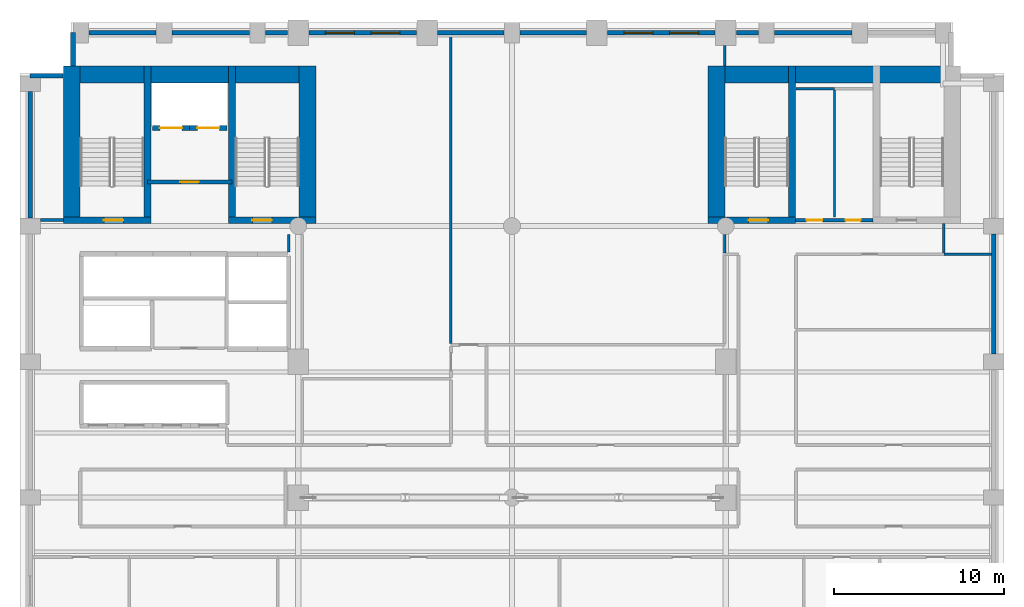
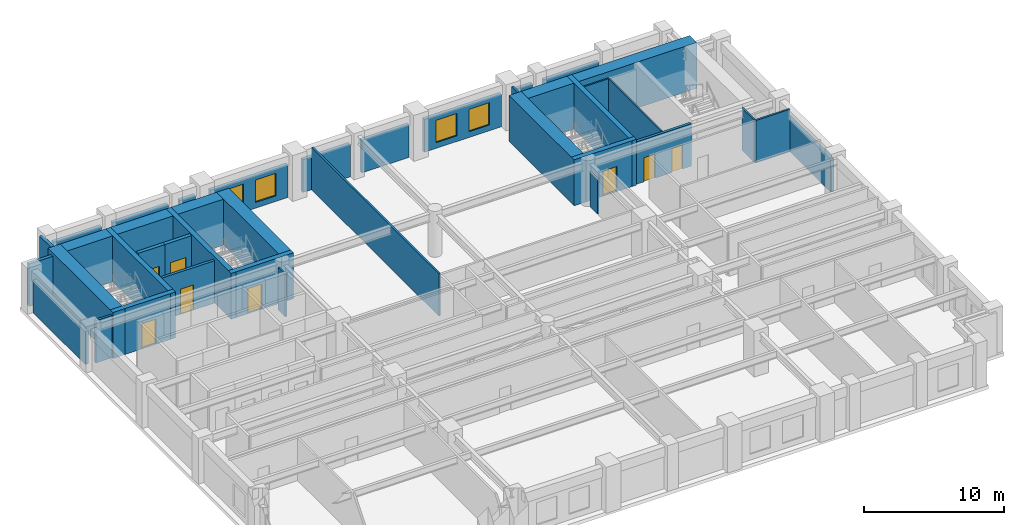
# One storey, part 7 of 10: 37 walls, 8 doors, 4 windows, 12 openings.
"""IFC4 building model written with IfcOpenShell, lengths in metres."""

from ifc_helpers import new_model, si_unit, direction, frame, frame_2d, origin, place, context, subcontext, project, spatial, rectangle, extrude, material, layer, layer_set, type_object, element, fill, save


model = new_model("IFC4")

# Units and contexts
model_context = context("Model", 3, precision=1e-05, world=origin(), true_north=direction((0.0, 1.0)))
body_context = subcontext(model_context, "Body", "Model", "MODEL_VIEW")
ifc_project = project(units=[si_unit("LENGTHUNIT", "METRE"), si_unit("AREAUNIT", "SQUARE_METRE"), si_unit("VOLUMEUNIT", "CUBIC_METRE"), si_unit("PLANEANGLEUNIT", "RADIAN"), si_unit("MASSUNIT", "GRAM", prefix="KILO")], contexts=[model_context])

# Site, building, storey
site_placement = place(None, origin())
site = spatial("IfcSite", under=ifc_project, at=site_placement, CompositionType="ELEMENT")
building_placement = place(site_placement, origin())
building = spatial("IfcBuilding", under=site, at=building_placement, Name="Sulina Concourse Tower", CompositionType="ELEMENT")
storey_placement = place(building_placement, frame((0.0, 0.0, 62.60009765625)))
storey = spatial("IfcBuildingStorey", under=building, at=storey_placement, Name="L15", CompositionType="ELEMENT", Elevation=62.60009765625)

# Wall, opening, door
ifc_material_1 = material(Name="Concrete C50/60", Category="concrete")
ifc_layer_1 = layer(ifc_material_1, 0.300048828125)
ifc_layer_set_1 = layer_set([ifc_layer_1], Name="Concrete C50/60")
wall_type_1 = type_object("IfcWallType", Name="Core Lift Hoistway Wall 300mm", PredefinedType="SOLIDWALL", material=ifc_layer_set_1)
wall_1_placement = place(storey_placement, frame((10.0, 39.780029296875, 0.0), z_axis=(0.0, 0.0, 1.0), x_axis=(-1.0, 0.0, 0.0)))
wall_1 = element("IfcWall", 1, at=wall_1_placement, inside=storey, type_object=wall_type_1, Name="L15 hoistway enclosure wall FFL-1", PredefinedType="SOLIDWALL", context=body_context, shape_type="SweptSolid", body=[
    extrude(rectangle(XDim=2.199951171875, YDim=0.300048828125, at=frame_2d((1.10009765625, 0.0))), origin(), (0.0, 0.0, 1.0), 4.0),
])
opening_1_placement = place(wall_1_placement, frame((0.449951171875, 0.0, 0.0)))
opening_1 = element("IfcOpeningElement", 2, at=opening_1_placement, cuts=wall_1, Name="Opening LD-02", PredefinedType="OPENING", context=body_context, shape_type="SweptSolid", body=[
    extrude(rectangle(XDim=1.300048828125, YDim=2.25, at=frame_2d((0.64990234375, 1.125))), frame((0.0, 0.159912109375, 0.0), z_axis=(0.0, -1.0, 0.0), x_axis=(1.0, 0.0, 0.0)), (0.0, 0.0, 1.0), 0.320068359375),
])
ifc_material_2 = material(Name="Stainless steel lift landing door", Category="steel")
ifc_layer_2 = layer(ifc_material_2, 0.050048828125)
ifc_layer_set_2 = layer_set([ifc_layer_2], Name="Stainless steel lift landing door")
door_type_1 = type_object("IfcDoorType", Name="Firefighting Lift Sliding Landing Door 1300x2250", OperationType="SLIDING_TO_RIGHT", PredefinedType="DOOR", material=ifc_layer_set_2)
door_1_placement = place(opening_1_placement, origin())
door_1 = element("IfcDoor", 3, at=door_1_placement, inside=storey, type_object=door_type_1, Name="L15 lift landing sliding door FFL-1", OperationType="SLIDING_TO_LEFT", OverallHeight=2.25, OverallWidth=1.300048828125, PredefinedType="DOOR", context=body_context, shape_type="SweptSolid", body=[
    extrude(rectangle(XDim=1.300048828125, YDim=2.25, at=frame_2d((0.64990234375, 1.125))), frame((0.0, 0.02490234375, 0.0), z_axis=(0.0, -1.0, 0.0), x_axis=(1.0, 0.0, 0.0)), (0.0, 0.0, 1.0), 0.050048828125),
])
fill(opening_1, door_1)

wall_2_placement = place(storey_placement, frame((12.199951171875, 39.780029296875, 0.0), z_axis=(0.0, 0.0, 1.0), x_axis=(-1.0, 0.0, 0.0)))
wall_2 = element("IfcWall", 4, at=wall_2_placement, inside=storey, type_object=wall_type_1, Name="L15 hoistway enclosure wall FFL-2", PredefinedType="SOLIDWALL", context=body_context, shape_type="SweptSolid", body=[
    extrude(rectangle(XDim=2.199951171875, YDim=0.300048828125, at=frame_2d((1.10009765625, 0.0))), origin(), (0.0, 0.0, 1.0), 4.0),
])
opening_2_placement = place(wall_2_placement, frame((0.449951171875, 0.0, 0.0)))
opening_2 = element("IfcOpeningElement", 5, at=opening_2_placement, cuts=wall_2, Name="Opening LD-02", PredefinedType="OPENING", context=body_context, shape_type="SweptSolid", body=[
    extrude(rectangle(XDim=1.300048828125, YDim=2.25, at=frame_2d((0.64990234375, 1.125))), frame((0.0, 0.159912109375, 0.0), z_axis=(0.0, -1.0, 0.0), x_axis=(1.0, 0.0, 0.0)), (0.0, 0.0, 1.0), 0.320068359375),
])
door_2_placement = place(opening_2_placement, origin())
door_2 = element("IfcDoor", 6, at=door_2_placement, inside=storey, type_object=door_type_1, Name="L15 lift landing sliding door FFL-2", OperationType="SLIDING_TO_RIGHT", OverallHeight=2.25, OverallWidth=1.300048828125, PredefinedType="DOOR", context=body_context, shape_type="SweptSolid", body=[
    extrude(rectangle(XDim=1.300048828125, YDim=2.25, at=frame_2d((0.64990234375, 1.125))), frame((0.0, 0.02490234375, 0.0), z_axis=(0.0, -1.0, 0.0), x_axis=(1.0, 0.0, 0.0)), (0.0, 0.0, 1.0), 0.050048828125),
])
fill(opening_2, door_2)

ifc_material_3 = material(Name="Gypsum board on steel stud", Category="steel")
ifc_layer_3 = layer(ifc_material_3, 0.219970703125)
ifc_layer_set_3 = layer_set([ifc_layer_3], Name="Gypsum board on steel stud")
wall_type_2 = type_object("IfcWallType", Name="Fire-Rated Lobby & Compartment Wall 220mm", PredefinedType="PARTITIONING", material=ifc_layer_set_3)
wall_3_placement = place(storey_placement, frame((7.510009765625, 36.60009765625, 0.0), z_axis=(0.0, 0.0, 1.0), x_axis=(1.0, 0.0, 0.0)))
wall_3 = element("IfcWall", 7, at=wall_3_placement, inside=storey, type_object=wall_type_2, Name="L15 firefighting lobby south fire wall", PredefinedType="PARTITIONING", context=body_context, shape_type="SweptSolid", body=[
    extrude(rectangle(XDim=4.97998046875, YDim=0.219970703125, at=frame_2d((2.489990234375, 0.0))), origin(), (0.0, 0.0, 1.0), 3.699951171875),
])
opening_3_placement = place(wall_3_placement, frame((1.93994140625, 0.0, 0.0)))
opening_3 = element("IfcOpeningElement", 8, at=opening_3_placement, cuts=wall_3, Name="Opening DR-47", PredefinedType="OPENING", context=body_context, shape_type="SweptSolid", body=[
    extrude(rectangle(XDim=1.10009765625, YDim=2.199951171875, at=frame_2d((0.550048828125, 1.10009765625))), frame((0.0, 0.119873046875, 0.0), z_axis=(0.0, -1.0, 0.0), x_axis=(1.0, 0.0, 0.0)), (0.0, 0.0, 1.0), 0.239990234375),
])
ifc_material_4 = material(Name="Galvanised steel acoustic fire leaf", Category="steel")
ifc_layer_4 = layer(ifc_material_4, 0.054931640625)
ifc_layer_set_4 = layer_set([ifc_layer_4], Name="Galvanised steel acoustic fire leaf")
door_type_2 = type_object("IfcDoorType", Name="Firefighting Lobby Fire Door 1100x2200", OperationType="NOTDEFINED", PredefinedType="DOOR", material=ifc_layer_set_4)
door_3_placement = place(opening_3_placement, origin())
door_3 = element("IfcDoor", 9, at=door_3_placement, inside=storey, type_object=door_type_2, Name="L15 firefighting lobby fire door", OperationType="SINGLE_SWING_RIGHT", OverallHeight=2.199951171875, OverallWidth=1.10009765625, PredefinedType="DOOR", context=body_context, shape_type="SweptSolid", body=[
    extrude(rectangle(XDim=1.10009765625, YDim=2.199951171875, at=frame_2d((0.550048828125, 1.10009765625))), frame((0.0, 0.02490234375, 0.0), z_axis=(0.0, -1.0, 0.0), x_axis=(1.0, 0.0, 0.0)), (0.0, 0.0, 1.0), 0.050048828125),
])
fill(opening_3, door_3)

# Wall, openings, doors
wall_4_placement = place(storey_placement, frame((45.719970703125, 34.35009765625, 0.0), z_axis=(0.0, 0.0, 1.0), x_axis=(1.0, 0.0, 0.0)))
wall_4 = element("IfcWall", 10, at=wall_4_placement, inside=storey, type_object=wall_type_2, Name="L15 east core south lobby wall", PredefinedType="PARTITIONING", context=body_context, shape_type="SweptSolid", body=[
    extrude(rectangle(XDim=4.56005859375, YDim=0.219970703125, at=frame_2d((2.280029296875, 0.0))), origin(), (0.0, 0.0, 1.0), 3.699951171875),
])
opening_4_placement = place(wall_4_placement, frame((0.64990234375, 0.0, 0.0)))
opening_4 = element("IfcOpeningElement", 11, at=opening_4_placement, cuts=wall_4, Name="Opening DR-61", PredefinedType="OPENING", context=body_context, shape_type="SweptSolid", body=[
    extrude(rectangle(XDim=0.919921875, YDim=2.10009765625, at=frame_2d((0.4599609375, 1.050048828125))), frame((0.0, 0.119873046875, 0.0), z_axis=(0.0, -1.0, 0.0), x_axis=(1.0, 0.0, 0.0)), (0.0, 0.0, 1.0), 0.239990234375),
])
opening_5_placement = place(wall_4_placement, frame((2.949951171875, 0.0, 0.0)))
opening_5 = element("IfcOpeningElement", 12, at=opening_5_placement, cuts=wall_4, Name="Opening DR-38", PredefinedType="OPENING", context=body_context, shape_type="SweptSolid", body=[
    extrude(rectangle(XDim=0.8798828125, YDim=2.10009765625, at=frame_2d((0.43994140625, 1.050048828125))), frame((0.0, 0.119873046875, 0.0), z_axis=(0.0, -1.0, 0.0), x_axis=(1.0, 0.0, 0.0)), (0.0, 0.0, 1.0), 0.239990234375),
])
ifc_material_5 = material(Name="Oak-veneered fire door leaf")
ifc_layer_5 = layer(ifc_material_5, 0.050048828125)
ifc_layer_set_5 = layer_set([ifc_layer_5], Name="Oak-veneered fire door leaf")
door_type_3 = type_object("IfcDoorType", Name="Accessible WC Door 920x2100", OperationType="NOTDEFINED", PredefinedType="DOOR", material=ifc_layer_set_5)
door_4_placement = place(opening_4_placement, origin())
door_4 = element("IfcDoor", 13, at=door_4_placement, inside=storey, type_object=door_type_3, Name="L15 east core accessible wc door", OperationType="SINGLE_SWING_RIGHT", OverallHeight=2.10009765625, OverallWidth=0.919921875, PredefinedType="DOOR", context=body_context, shape_type="SweptSolid", body=[
    extrude(rectangle(XDim=0.919921875, YDim=2.10009765625, at=frame_2d((0.4599609375, 1.050048828125))), frame((0.0, 0.02490234375, 0.0), z_axis=(0.0, -1.0, 0.0), x_axis=(1.0, 0.0, 0.0)), (0.0, 0.0, 1.0), 0.050048828125),
])
fill(opening_4, door_4)
ifc_material_6 = material(Name="Galvanised steel acoustic fire leaf", Category="steel")
ifc_layer_6 = layer(ifc_material_6, 0.050048828125)
ifc_layer_set_6 = layer_set([ifc_layer_6], Name="Galvanised steel acoustic fire leaf")
door_type_4 = type_object("IfcDoorType", Name="Service Riser Fire Door 880x2100", OperationType="NOTDEFINED", PredefinedType="DOOR", material=ifc_layer_set_6)
door_5_placement = place(opening_5_placement, origin())
door_5 = element("IfcDoor", 14, at=door_5_placement, inside=storey, type_object=door_type_4, Name="L15 east core store door", OperationType="SINGLE_SWING_LEFT", OverallHeight=2.10009765625, OverallWidth=0.8798828125, PredefinedType="DOOR", context=body_context, shape_type="SweptSolid", body=[
    extrude(rectangle(XDim=0.8798828125, YDim=2.10009765625, at=frame_2d((0.43994140625, 1.050048828125))), frame((0.0, 0.02490234375, 0.0), z_axis=(0.0, -1.0, 0.0), x_axis=(1.0, 0.0, 0.0)), (0.0, 0.0, 1.0), 0.050048828125),
])
fill(opening_5, door_5)

# Walls
ifc_material_7 = material(Name="Gypsum board on steel stud", Category="steel")
ifc_layer_7 = layer(ifc_material_7, 0.14990234375)
ifc_layer_set_7 = layer_set([ifc_layer_7], Name="Gypsum board on steel stud")
wall_type_3 = type_object("IfcWallType", Name="Inter-Tenancy Acoustic Partition 150mm", PredefinedType="PARTITIONING", material=ifc_layer_set_7)
wall_5_placement = place(storey_placement, frame((54.449951171875, 32.35009765625, 0.0), z_axis=(0.0, 0.0, 1.0), x_axis=(1.0, 0.0, 0.0)))
element("IfcWall", 15, at=wall_5_placement, inside=storey, type_object=wall_type_3, Name="L15 interior partition 025", PredefinedType="PARTITIONING", context=body_context, shape_type="SweptSolid", body=[
    extrude(rectangle(XDim=2.81005859375, YDim=0.14990234375, at=frame_2d((1.405029296875, 0.0))), origin(), (0.0, 0.0, 1.0), 3.699951171875),
])
wall_6_placement = place(storey_placement, frame((15.85009765625, 32.469970703125, 0.0), z_axis=(0.0, 0.0, 1.0), x_axis=(0.0, 1.0, 0.0)))
element("IfcWall", 16, at=wall_6_placement, inside=storey, type_object=wall_type_3, Name="L15 interior partition 034", PredefinedType="PARTITIONING", context=body_context, shape_type="SweptSolid", body=[
    extrude(rectangle(XDim=1.030029296875, YDim=0.14990234375, at=frame_2d((0.51513671875, 0.0))), origin(), (0.0, 0.0, 1.0), 3.699951171875),
])
wall_7_placement = place(storey_placement, frame((25.39990234375, 27.090087890625, 0.0), z_axis=(0.0, 0.0, 1.0), x_axis=(0.0, 1.0, 0.0)))
element("IfcWall", 17, at=wall_7_placement, inside=storey, type_object=wall_type_3, Name="L15 interior partition 039", PredefinedType="PARTITIONING", context=body_context, shape_type="SweptSolid", body=[
    extrude(rectangle(XDim=18.169921875, YDim=0.14990234375, at=frame_2d((9.0849609375, 0.0))), origin(), (0.0, 0.0, 1.0), 3.699951171875),
])
wall_8_placement = place(storey_placement, frame((41.550048828125, 32.425048828125, 0.0), z_axis=(0.0, 0.0, 1.0), x_axis=(0.0, 1.0, 0.0)))
element("IfcWall", 18, at=wall_8_placement, inside=storey, type_object=wall_type_3, Name="L15 interior partition 044", PredefinedType="PARTITIONING", context=body_context, shape_type="SweptSolid", body=[
    extrude(rectangle(XDim=1.074951171875, YDim=0.14990234375, at=frame_2d((0.53759765625, 0.0))), origin(), (0.0, 0.0, 1.0), 2.994873046875),
])
wall_9_placement = place(storey_placement, frame((41.550048828125, 43.429931640625, 0.0), z_axis=(0.0, 0.0, 1.0), x_axis=(0.0, 1.0, 0.0)))
element("IfcWall", 19, at=wall_9_placement, inside=storey, type_object=wall_type_3, Name="L15 interior partition 045", PredefinedType="PARTITIONING", context=body_context, shape_type="SweptSolid", body=[
    extrude(rectangle(XDim=1.219970703125, YDim=0.14990234375, at=frame_2d((0.60986328125, 0.0))), origin(), (0.0, 0.0, 1.0), 3.699951171875),
])
wall_10_placement = place(storey_placement, frame((54.449951171875, 32.425048828125, 0.0), z_axis=(0.0, 0.0, 1.0), x_axis=(0.0, 1.0, 0.0)))
element("IfcWall", 20, at=wall_10_placement, inside=storey, type_object=wall_type_3, Name="L15 interior partition 054", PredefinedType="PARTITIONING", context=body_context, shape_type="SweptSolid", body=[
    extrude(rectangle(XDim=1.724853515625, YDim=0.14990234375, at=frame_2d((0.8623046875, 0.0))), origin(), (0.0, 0.0, 1.0), 3.699951171875),
])
ifc_material_8 = material(Name="Gypsum board on steel stud", Category="steel")
ifc_layer_8 = layer(ifc_material_8, 0.179931640625)
ifc_layer_set_8 = layer_set([ifc_layer_8], Name="Gypsum board on steel stud")
wall_type_4 = type_object("IfcWallType", Name="Protected Corridor & Riser Partition 180mm", PredefinedType="PARTITIONING", material=ifc_layer_set_8)
wall_11_placement = place(storey_placement, frame((1.199951171875, 34.35009765625, 0.0), z_axis=(0.0, 0.0, 1.0), x_axis=(1.0, 0.0, 0.0)))
element("IfcWall", 21, at=wall_11_placement, inside=storey, type_object=wall_type_4, Name="L15 interior partition 026", PredefinedType="PARTITIONING", context=body_context, shape_type="SweptSolid", body=[
    extrude(rectangle(XDim=1.35009765625, YDim=0.179931640625, at=frame_2d((0.675048828125, 0.0))), origin(), (0.0, 0.0, 1.0), 3.699951171875),
])

# Wall, opening, door
ifc_material_9 = material(Name="Concrete C60/75", Category="concrete")
ifc_layer_9 = layer(ifc_material_9, 0.39990234375)
ifc_layer_set_9 = layer_set([ifc_layer_9], Name="Concrete C60/75")
wall_type_5 = type_object("IfcWallType", Name="Protected Stair Core Shear Wall 400mm", PredefinedType="SHEAR", material=ifc_layer_set_9)
wall_12_placement = place(storey_placement, frame((2.550048828125, 34.35009765625, 0.0), z_axis=(0.0, 0.0, 1.0), x_axis=(1.0, 0.0, 0.0)))
wall_12 = element("IfcWall", 22, at=wall_12_placement, inside=storey, type_object=wall_type_5, Name="L15 west core shear wall CW-WS1", PredefinedType="SHEAR", context=body_context, shape_type="SweptSolid", body=[
    extrude(rectangle(XDim=5.159912109375, YDim=0.39990234375, at=frame_2d((2.580078125, 0.0))), origin(), (0.0, 0.0, 1.0), 4.0),
])
opening_6_placement = place(wall_12_placement, frame((2.39990234375, 0.0, 0.0)))
opening_6 = element("IfcOpeningElement", 23, at=opening_6_placement, cuts=wall_12, Name="Opening DR-60", PredefinedType="OPENING", context=body_context, shape_type="SweptSolid", body=[
    extrude(rectangle(XDim=1.14990234375, YDim=2.199951171875, at=frame_2d((0.574951171875, 1.10009765625))), frame((0.0, 0.2099609375, 0.0), z_axis=(0.0, -1.0, 0.0), x_axis=(1.0, 0.0, 0.0)), (0.0, 0.0, 1.0), 0.419921875),
])
ifc_material_10 = material(Name="Galvanised steel acoustic fire leaf", Category="steel")
ifc_layer_10 = layer(ifc_material_10, 0.054931640625)
ifc_layer_set_10 = layer_set([ifc_layer_10], Name="Galvanised steel acoustic fire leaf")
door_type_5 = type_object("IfcDoorType", Name="Protected Exit Stair Fire Door 1150x2200", OperationType="NOTDEFINED", PredefinedType="DOOR", material=ifc_layer_set_10)
door_6_placement = place(opening_6_placement, origin())
door_6 = element("IfcDoor", 24, at=door_6_placement, inside=storey, type_object=door_type_5, Name="L15 stair ST-1 lobby fire door", OperationType="SINGLE_SWING_RIGHT", OverallHeight=2.199951171875, OverallWidth=1.14990234375, PredefinedType="DOOR", context=body_context, shape_type="SweptSolid", body=[
    extrude(rectangle(XDim=1.14990234375, YDim=2.199951171875, at=frame_2d((0.574951171875, 1.10009765625))), frame((0.0, 0.02490234375, 0.0), z_axis=(0.0, -1.0, 0.0), x_axis=(1.0, 0.0, 0.0)), (0.0, 0.0, 1.0), 0.050048828125),
])
fill(opening_6, door_6)

wall_13_placement = place(storey_placement, frame((12.2900390625, 34.35009765625, 0.0), z_axis=(0.0, 0.0, 1.0), x_axis=(1.0, 0.0, 0.0)))
wall_13 = element("IfcWall", 25, at=wall_13_placement, inside=storey, type_object=wall_type_5, Name="L15 west core shear wall CW-WS2", PredefinedType="SHEAR", context=body_context, shape_type="SweptSolid", body=[
    extrude(rectangle(XDim=5.159912109375, YDim=0.39990234375, at=frame_2d((2.580078125, 0.0))), origin(), (0.0, 0.0, 1.0), 4.0),
])
opening_7_placement = place(wall_13_placement, frame((1.39990234375, 0.0, 0.0)))
opening_7 = element("IfcOpeningElement", 26, at=opening_7_placement, cuts=wall_13, Name="Opening DR-60", PredefinedType="OPENING", context=body_context, shape_type="SweptSolid", body=[
    extrude(rectangle(XDim=1.14990234375, YDim=2.199951171875, at=frame_2d((0.574951171875, 1.10009765625))), frame((0.0, 0.2099609375, 0.0), z_axis=(0.0, -1.0, 0.0), x_axis=(1.0, 0.0, 0.0)), (0.0, 0.0, 1.0), 0.419921875),
])
door_7_placement = place(opening_7_placement, origin())
door_7 = element("IfcDoor", 27, at=door_7_placement, inside=storey, type_object=door_type_5, Name="L15 stair ST-2 lobby fire door", OperationType="SINGLE_SWING_LEFT", OverallHeight=2.199951171875, OverallWidth=1.14990234375, PredefinedType="DOOR", context=body_context, shape_type="SweptSolid", body=[
    extrude(rectangle(XDim=1.14990234375, YDim=2.199951171875, at=frame_2d((0.574951171875, 1.10009765625))), frame((0.0, 0.02490234375, 0.0), z_axis=(0.0, -1.0, 0.0), x_axis=(1.0, 0.0, 0.0)), (0.0, 0.0, 1.0), 0.050048828125),
])
fill(opening_7, door_7)

# Walls
for number, where, z_axis, x_axis, name in (
    (28, (7.510009765625, 34.14990234375, 0.0), (0.0, 0.0, 1.0), (0.0, 1.0, 0.0), "L15 west core shear wall SW-ST1"),
    (29, (12.489990234375, 34.14990234375, 0.0), (0.0, 0.0, 1.0), (0.0, 1.0, 0.0), "L15 west core shear wall SW-ST2"),
):
    element("IfcWall", number, at=place(storey_placement, frame(where, z_axis=z_axis, x_axis=x_axis)), inside=storey, type_object=wall_type_5, Name=name, PredefinedType="SHEAR", context=body_context, shape_type="SweptSolid", body=[
        extrude(rectangle(XDim=9.280029296875, YDim=0.39990234375, at=frame_2d((4.64013671875, 0.0))), origin(), (0.0, 0.0, 1.0), 4.0),
    ])

# Wall, opening, door
wall_14_placement = place(storey_placement, frame((40.550048828125, 34.35009765625, 0.0), z_axis=(0.0, 0.0, 1.0), x_axis=(1.0, 0.0, 0.0)))
wall_14 = element("IfcWall", 30, at=wall_14_placement, inside=storey, type_object=wall_type_5, Name="L15 east core shear wall CW-ES1", PredefinedType="SHEAR", context=body_context, shape_type="SweptSolid", body=[
    extrude(rectangle(XDim=5.159912109375, YDim=0.39990234375, at=frame_2d((2.580078125, 0.0))), origin(), (0.0, 0.0, 1.0), 4.0),
])
opening_8_placement = place(wall_14_placement, frame((2.39990234375, 0.0, 0.0)))
opening_8 = element("IfcOpeningElement", 31, at=opening_8_placement, cuts=wall_14, Name="Opening DR-60", PredefinedType="OPENING", context=body_context, shape_type="SweptSolid", body=[
    extrude(rectangle(XDim=1.14990234375, YDim=2.199951171875, at=frame_2d((0.574951171875, 1.10009765625))), frame((0.0, 0.2099609375, 0.0), z_axis=(0.0, -1.0, 0.0), x_axis=(1.0, 0.0, 0.0)), (0.0, 0.0, 1.0), 0.419921875),
])
door_8_placement = place(opening_8_placement, origin())
door_8 = element("IfcDoor", 32, at=door_8_placement, inside=storey, type_object=door_type_5, Name="L15 stair ST-3 south lobby fire door", OperationType="SINGLE_SWING_LEFT", OverallHeight=2.199951171875, OverallWidth=1.14990234375, PredefinedType="DOOR", context=body_context, shape_type="SweptSolid", body=[
    extrude(rectangle(XDim=1.14990234375, YDim=2.199951171875, at=frame_2d((0.574951171875, 1.10009765625))), frame((0.0, 0.02490234375, 0.0), z_axis=(0.0, -1.0, 0.0), x_axis=(1.0, 0.0, 0.0)), (0.0, 0.0, 1.0), 0.050048828125),
])
fill(opening_8, door_8)

# Walls
wall_15_placement = place(storey_placement, frame((45.510009765625, 34.14990234375, 0.0), z_axis=(0.0, 0.0, 1.0), x_axis=(0.0, 1.0, 0.0)))
element("IfcWall", 33, at=wall_15_placement, inside=storey, type_object=wall_type_5, Name="L15 east core shear wall SW-ST3", PredefinedType="SHEAR", context=body_context, shape_type="SweptSolid", body=[
    extrude(rectangle(XDim=9.280029296875, YDim=0.39990234375, at=frame_2d((4.64013671875, 0.0))), origin(), (0.0, 0.0, 1.0), 4.0),
])
ifc_material_11 = material(Name="Concrete C80/95", Category="concrete")
ifc_layer_11 = layer(ifc_material_11, 1.0)
ifc_layer_set_11 = layer_set([ifc_layer_11], Name="Concrete C80/95")
wall_type_6 = type_object("IfcWallType", Name="Rear Core Shear Wall 1000mm", PredefinedType="SHEAR", material=ifc_layer_set_11)
wall_16_placement = place(storey_placement, frame((2.550048828125, 42.929931640625, 0.0), z_axis=(0.0, 0.0, 1.0), x_axis=(1.0, 0.0, 0.0)))
element("IfcWall", 34, at=wall_16_placement, inside=storey, type_object=wall_type_6, Name="L15 west core shear wall CW-WN", PredefinedType="SHEAR", context=body_context, shape_type="SweptSolid", body=[
    extrude(rectangle(XDim=14.89990234375, YDim=1.0, at=frame_2d((7.449951171875, 0.0))), origin(), (0.0, 0.0, 1.0), 4.0),
])
for number, where, z_axis, x_axis, name in (
    (35, (3.050048828125, 34.14990234375, 0.0), (0.0, 0.0, 1.0), (0.0, 1.0, 0.0), "L15 west core shear wall CW-WW"),
    (36, (16.949951171875, 34.14990234375, 0.0), (0.0, 0.0, 1.0), (0.0, 1.0, 0.0), "L15 west core shear wall CW-WE"),
):
    element("IfcWall", number, at=place(storey_placement, frame(where, z_axis=z_axis, x_axis=x_axis)), inside=storey, type_object=wall_type_6, Name=name, PredefinedType="SHEAR", context=body_context, shape_type="SweptSolid", body=[
        extrude(rectangle(XDim=9.280029296875, YDim=1.0, at=frame_2d((4.64013671875, 0.0))), origin(), (0.0, 0.0, 1.0), 4.0),
    ])
wall_17_placement = place(storey_placement, frame((40.550048828125, 42.929931640625, 0.0), z_axis=(0.0, 0.0, 1.0), x_axis=(1.0, 0.0, 0.0)))
element("IfcWall", 37, at=wall_17_placement, inside=storey, type_object=wall_type_6, Name="L15 east core shear wall CW-EN", PredefinedType="SHEAR", context=body_context, shape_type="SweptSolid", body=[
    extrude(rectangle(XDim=14.89990234375, YDim=1.0, at=frame_2d((7.449951171875, 0.0))), origin(), (0.0, 0.0, 1.0), 4.0),
])
wall_18_placement = place(storey_placement, frame((41.050048828125, 34.14990234375, 0.0), z_axis=(0.0, 0.0, 1.0), x_axis=(0.0, 1.0, 0.0)))
element("IfcWall", 38, at=wall_18_placement, inside=storey, type_object=wall_type_6, Name="L15 east core shear wall CW-EW", PredefinedType="SHEAR", context=body_context, shape_type="SweptSolid", body=[
    extrude(rectangle(XDim=9.280029296875, YDim=1.0, at=frame_2d((4.64013671875, 0.0))), origin(), (0.0, 0.0, 1.0), 4.0),
])
ifc_material_12 = material(Name="Precast concrete C50/60", Category="concrete")
ifc_layer_12 = layer(ifc_material_12, 0.280029296875)
ifc_layer_set_12 = layer_set([ifc_layer_12], Name="Precast concrete C50/60")
wall_type_7 = type_object("IfcWallType", Name="Typical Precast Masonry-Frame Facade Wall 280mm", PredefinedType="SOLIDWALL", material=ifc_layer_set_12)
wall_19_placement = place(storey_placement, frame((0.60009765625, 34.469970703125, 0.0), z_axis=(0.0, 0.0, 1.0), x_axis=(0.0, 1.0, 0.0)))
element("IfcWall", 39, at=wall_19_placement, inside=storey, type_object=wall_type_7, Name="L15 exterior precast wall W5", PredefinedType="SOLIDWALL", context=body_context, shape_type="SweptSolid", body=[
    extrude(rectangle(XDim=7.4599609375, YDim=0.280029296875, at=frame_2d((3.72998046875, 0.0))), origin(), (0.0, 0.0, 1.0), 2.849853515625),
])
wall_20_placement = place(storey_placement, frame((4.070068359375, 45.39990234375, 0.0), z_axis=(0.0, 0.0, 1.0), x_axis=(1.0, 0.0, 0.0)))
element("IfcWall", 40, at=wall_20_placement, inside=storey, type_object=wall_type_7, Name="L15 exterior precast wall N1", PredefinedType="SOLIDWALL", context=body_context, shape_type="SweptSolid", body=[
    extrude(rectangle(XDim=3.9599609375, YDim=0.280029296875, at=frame_2d((1.97998046875, 0.0))), origin(), (0.0, 0.0, 1.0), 2.849853515625),
])
wall_21_placement = place(storey_placement, frame((8.969970703125, 45.39990234375, 0.0), z_axis=(0.0, 0.0, 1.0), x_axis=(1.0, 0.0, 0.0)))
element("IfcWall", 41, at=wall_21_placement, inside=storey, type_object=wall_type_7, Name="L15 exterior precast wall N2", PredefinedType="SOLIDWALL", context=body_context, shape_type="SweptSolid", body=[
    extrude(rectangle(XDim=4.56005859375, YDim=0.280029296875, at=frame_2d((2.280029296875, 0.0))), origin(), (0.0, 0.0, 1.0), 2.849853515625),
])
wall_22_placement = place(storey_placement, frame((14.469970703125, 45.39990234375, 0.0), z_axis=(0.0, 0.0, 1.0), x_axis=(1.0, 0.0, 0.0)))
element("IfcWall", 42, at=wall_22_placement, inside=storey, type_object=wall_type_7, Name="L15 exterior precast wall N3", PredefinedType="SOLIDWALL", context=body_context, shape_type="SweptSolid", body=[
    extrude(rectangle(XDim=1.31005859375, YDim=0.280029296875, at=frame_2d((0.655029296875, 0.0))), origin(), (0.0, 0.0, 1.0), 2.849853515625),
])

# Wall, openings, windows
wall_23_placement = place(storey_placement, frame((17.02001953125, 45.39990234375, 0.0), z_axis=(0.0, 0.0, 1.0), x_axis=(1.0, 0.0, 0.0)))
wall_23 = element("IfcWall", 43, at=wall_23_placement, inside=storey, type_object=wall_type_7, Name="L15 exterior precast wall N4", PredefinedType="SOLIDWALL", context=body_context, shape_type="SweptSolid", body=[
    extrude(rectangle(XDim=6.35986328125, YDim=0.280029296875, at=frame_2d((3.179931640625, 0.0))), origin(), (0.0, 0.0, 1.0), 2.849853515625),
])
opening_9_placement = place(wall_23_placement, frame((0.98681640625, 0.0, 0.5)))
opening_9 = element("IfcOpeningElement", 44, at=opening_9_placement, cuts=wall_23, Name="Opening WN-66", PredefinedType="OPENING", context=body_context, shape_type="SweptSolid", body=[
    extrude(rectangle(XDim=1.699951171875, YDim=1.949951171875, at=frame_2d((0.85009765625, 0.97509765625))), frame((0.0, 0.14990234375, 0.0), z_axis=(0.0, -1.0, 0.0), x_axis=(1.0, 0.0, 0.0)), (0.0, 0.0, 1.0), 0.300048828125),
])
opening_10_placement = place(wall_23_placement, frame((3.67333984375, 0.0, 0.5)))
opening_10 = element("IfcOpeningElement", 45, at=opening_10_placement, cuts=wall_23, Name="Opening WN-66", PredefinedType="OPENING", context=body_context, shape_type="SweptSolid", body=[
    extrude(rectangle(XDim=1.699951171875, YDim=1.949951171875, at=frame_2d((0.85009765625, 0.97509765625))), frame((0.0, 0.14990234375, 0.0), z_axis=(0.0, -1.0, 0.0), x_axis=(1.0, 0.0, 0.0)), (0.0, 0.0, 1.0), 0.300048828125),
])
ifc_material_13 = material(Name="Low-E solar double glazing in bronze aluminium", Category="aluminium")
window_type = type_object("IfcWindowType", Name="Recessed Spandrel Window 1700x1950", PartitioningType="SINGLE_PANEL", PredefinedType="WINDOW", material=ifc_material_13)
window_1_placement = place(opening_9_placement, origin())
window_1 = element("IfcWindow", 46, at=window_1_placement, inside=storey, type_object=window_type, Name="L15 punched window N4-1", OverallHeight=1.949951171875, OverallWidth=1.699951171875, PartitioningType="SINGLE_PANEL", PredefinedType="WINDOW", context=body_context, shape_type="SweptSolid", body=[
    extrude(rectangle(XDim=1.699951171875, YDim=1.949951171875, at=frame_2d((0.85009765625, 0.97509765625))), frame((0.0, 0.030029296875, 0.0), z_axis=(0.0, -1.0, 0.0), x_axis=(1.0, 0.0, 0.0)), (0.0, 0.0, 1.0), 0.06005859375),
])
fill(opening_9, window_1)
window_2_placement = place(opening_10_placement, origin())
window_2 = element("IfcWindow", 47, at=window_2_placement, inside=storey, type_object=window_type, Name="L15 punched window N4-2", OverallHeight=1.949951171875, OverallWidth=1.699951171875, PartitioningType="SINGLE_PANEL", PredefinedType="WINDOW", context=body_context, shape_type="SweptSolid", body=[
    extrude(rectangle(XDim=1.699951171875, YDim=1.949951171875, at=frame_2d((0.85009765625, 0.97509765625))), frame((0.0, 0.030029296875, 0.0), z_axis=(0.0, -1.0, 0.0), x_axis=(1.0, 0.0, 0.0)), (0.0, 0.0, 1.0), 0.06005859375),
])
fill(opening_10, window_2)

# Walls
for number, where, z_axis, x_axis, name in (
    (48, (24.6201171875, 45.39990234375, 0.0), (0.0, 0.0, 1.0), (1.0, 0.0, 0.0), "L15 exterior precast wall N5"),
    (49, (29.469970703125, 45.39990234375, 0.0), (0.0, 0.0, 1.0), (1.0, 0.0, 0.0), "L15 exterior precast wall N6"),
):
    element("IfcWall", number, at=place(storey_placement, frame(where, z_axis=z_axis, x_axis=x_axis)), inside=storey, type_object=wall_type_7, Name=name, PredefinedType="SOLIDWALL", context=body_context, shape_type="SweptSolid", body=[
        extrude(rectangle(XDim=3.909912109375, YDim=0.280029296875, at=frame_2d((1.955078125, 0.0))), origin(), (0.0, 0.0, 1.0), 2.849853515625),
    ])

# Wall, openings, windows
wall_24_placement = place(storey_placement, frame((34.6201171875, 45.39990234375, 0.0), z_axis=(0.0, 0.0, 1.0), x_axis=(1.0, 0.0, 0.0)))
wall_24 = element("IfcWall", 50, at=wall_24_placement, inside=storey, type_object=wall_type_7, Name="L15 exterior precast wall N7", PredefinedType="SOLIDWALL", context=body_context, shape_type="SweptSolid", body=[
    extrude(rectangle(XDim=6.35986328125, YDim=0.280029296875, at=frame_2d((3.179931640625, 0.0))), origin(), (0.0, 0.0, 1.0), 2.849853515625),
])
opening_11_placement = place(wall_24_placement, frame((0.98681640625, 0.0, 0.5)))
opening_11 = element("IfcOpeningElement", 51, at=opening_11_placement, cuts=wall_24, Name="Opening WN-66", PredefinedType="OPENING", context=body_context, shape_type="SweptSolid", body=[
    extrude(rectangle(XDim=1.699951171875, YDim=1.949951171875, at=frame_2d((0.85009765625, 0.97509765625))), frame((0.0, 0.14990234375, 0.0), z_axis=(0.0, -1.0, 0.0), x_axis=(1.0, 0.0, 0.0)), (0.0, 0.0, 1.0), 0.300048828125),
])
opening_12_placement = place(wall_24_placement, frame((3.67333984375, 0.0, 0.5)))
opening_12 = element("IfcOpeningElement", 52, at=opening_12_placement, cuts=wall_24, Name="Opening WN-66", PredefinedType="OPENING", context=body_context, shape_type="SweptSolid", body=[
    extrude(rectangle(XDim=1.699951171875, YDim=1.949951171875, at=frame_2d((0.85009765625, 0.97509765625))), frame((0.0, 0.14990234375, 0.0), z_axis=(0.0, -1.0, 0.0), x_axis=(1.0, 0.0, 0.0)), (0.0, 0.0, 1.0), 0.300048828125),
])
window_3_placement = place(opening_11_placement, origin())
window_3 = element("IfcWindow", 53, at=window_3_placement, inside=storey, type_object=window_type, Name="L15 punched window N7-1", OverallHeight=1.949951171875, OverallWidth=1.699951171875, PartitioningType="SINGLE_PANEL", PredefinedType="WINDOW", context=body_context, shape_type="SweptSolid", body=[
    extrude(rectangle(XDim=1.699951171875, YDim=1.949951171875, at=frame_2d((0.85009765625, 0.97509765625))), frame((0.0, 0.030029296875, 0.0), z_axis=(0.0, -1.0, 0.0), x_axis=(1.0, 0.0, 0.0)), (0.0, 0.0, 1.0), 0.06005859375),
])
fill(opening_11, window_3)
window_4_placement = place(opening_12_placement, origin())
window_4 = element("IfcWindow", 54, at=window_4_placement, inside=storey, type_object=window_type, Name="L15 punched window N7-2", OverallHeight=1.949951171875, OverallWidth=1.699951171875, PartitioningType="SINGLE_PANEL", PredefinedType="WINDOW", context=body_context, shape_type="SweptSolid", body=[
    extrude(rectangle(XDim=1.699951171875, YDim=1.949951171875, at=frame_2d((0.85009765625, 0.97509765625))), frame((0.0, 0.030029296875, 0.0), z_axis=(0.0, -1.0, 0.0), x_axis=(1.0, 0.0, 0.0)), (0.0, 0.0, 1.0), 0.06005859375),
])
fill(opening_12, window_4)

# Walls
wall_25_placement = place(storey_placement, frame((42.219970703125, 45.39990234375, 0.0), z_axis=(0.0, 0.0, 1.0), x_axis=(1.0, 0.0, 0.0)))
element("IfcWall", 55, at=wall_25_placement, inside=storey, type_object=wall_type_7, Name="L15 exterior precast wall N8", PredefinedType="SOLIDWALL", context=body_context, shape_type="SweptSolid", body=[
    extrude(rectangle(XDim=1.31005859375, YDim=0.280029296875, at=frame_2d((0.655029296875, 0.0))), origin(), (0.0, 0.0, 1.0), 2.849853515625),
])
wall_26_placement = place(storey_placement, frame((44.469970703125, 45.39990234375, 0.0), z_axis=(0.0, 0.0, 1.0), x_axis=(1.0, 0.0, 0.0)))
element("IfcWall", 56, at=wall_26_placement, inside=storey, type_object=wall_type_7, Name="L15 exterior precast wall N9", PredefinedType="SOLIDWALL", context=body_context, shape_type="SweptSolid", body=[
    extrude(rectangle(XDim=4.56005859375, YDim=0.280029296875, at=frame_2d((2.280029296875, 0.0))), origin(), (0.0, 0.0, 1.0), 2.849853515625),
])
wall_27_placement = place(storey_placement, frame((57.39990234375, 33.530029296875, 0.0), z_axis=(0.0, 0.0, 1.0), x_axis=(0.0, -1.0, 0.0)))
element("IfcWall", 57, at=wall_27_placement, inside=storey, type_object=wall_type_7, Name="L15 exterior precast wall E4", PredefinedType="SOLIDWALL", context=body_context, shape_type="SweptSolid", body=[
    extrude(rectangle(XDim=7.06005859375, YDim=0.280029296875, at=frame_2d((3.530029296875, 0.0))), origin(), (0.0, 0.0, 1.0), 2.849853515625),
])
wall_28_placement = place(storey_placement, frame((0.60009765625, 42.8701171875, 0.0), z_axis=(0.0, 0.0, 1.0), x_axis=(1.0, 0.0, 0.0)))
element("IfcWall", 58, at=wall_28_placement, inside=storey, type_object=wall_type_7, Name="L15 exterior precast wall CNW1", PredefinedType="SOLIDWALL", context=body_context, shape_type="SweptSolid", body=[
    extrude(rectangle(XDim=1.94482421875, YDim=0.280029296875, at=frame_2d((0.972412109375, 0.0))), origin(), (0.0, 0.0, 1.0), 3.699951171875),
])
wall_29_placement = place(storey_placement, frame((3.1298828125, 43.43505859375, 0.0), z_axis=(0.0, 0.0, 1.0), x_axis=(0.0, 1.0, 0.0)))
element("IfcWall", 59, at=wall_29_placement, inside=storey, type_object=wall_type_7, Name="L15 exterior precast wall CNW2", PredefinedType="SOLIDWALL", context=body_context, shape_type="SweptSolid", body=[
    extrude(rectangle(XDim=1.96484375, YDim=0.280029296875, at=frame_2d((0.982421875, 0.0))), origin(), (0.0, 0.0, 1.0), 3.699951171875),
])
ifc_material_14 = material(Name="Gypsum board on steel stud", Category="steel")
ifc_layer_13 = layer(ifc_material_14, 0.125)
ifc_layer_set_13 = layer_set([ifc_layer_13], Name="Gypsum board on steel stud")
wall_type_8 = type_object("IfcWallType", Name="Wet-Area Moisture-Resistant Partition 125mm", PredefinedType="PARTITIONING", material=ifc_layer_set_13)
wall_30_placement = place(storey_placement, frame((45.75, 42.10009765625, 0.0), z_axis=(0.0, 0.0, 1.0), x_axis=(1.0, 0.0, 0.0)))
element("IfcWall", 60, at=wall_30_placement, inside=storey, type_object=wall_type_8, Name="L15 interior partition 027", PredefinedType="PARTITIONING", context=body_context, shape_type="SweptSolid", body=[
    extrude(rectangle(XDim=2.25, YDim=0.125, at=frame_2d((1.125, 0.0))), origin(), (0.0, 0.0, 1.0), 3.699951171875),
])
wall_31_placement = place(storey_placement, frame((48.0, 34.550048828125, 0.0), z_axis=(0.0, 0.0, 1.0), x_axis=(0.0, 1.0, 0.0)))
element("IfcWall", 61, at=wall_31_placement, inside=storey, type_object=wall_type_8, Name="L15 interior partition 052", PredefinedType="PARTITIONING", context=body_context, shape_type="SweptSolid", body=[
    extrude(rectangle(XDim=7.474853515625, YDim=0.125, at=frame_2d((3.7373046875, 0.0))), origin(), (0.0, 0.0, 1.0), 3.699951171875),
])

save(model, "model.ifc")
